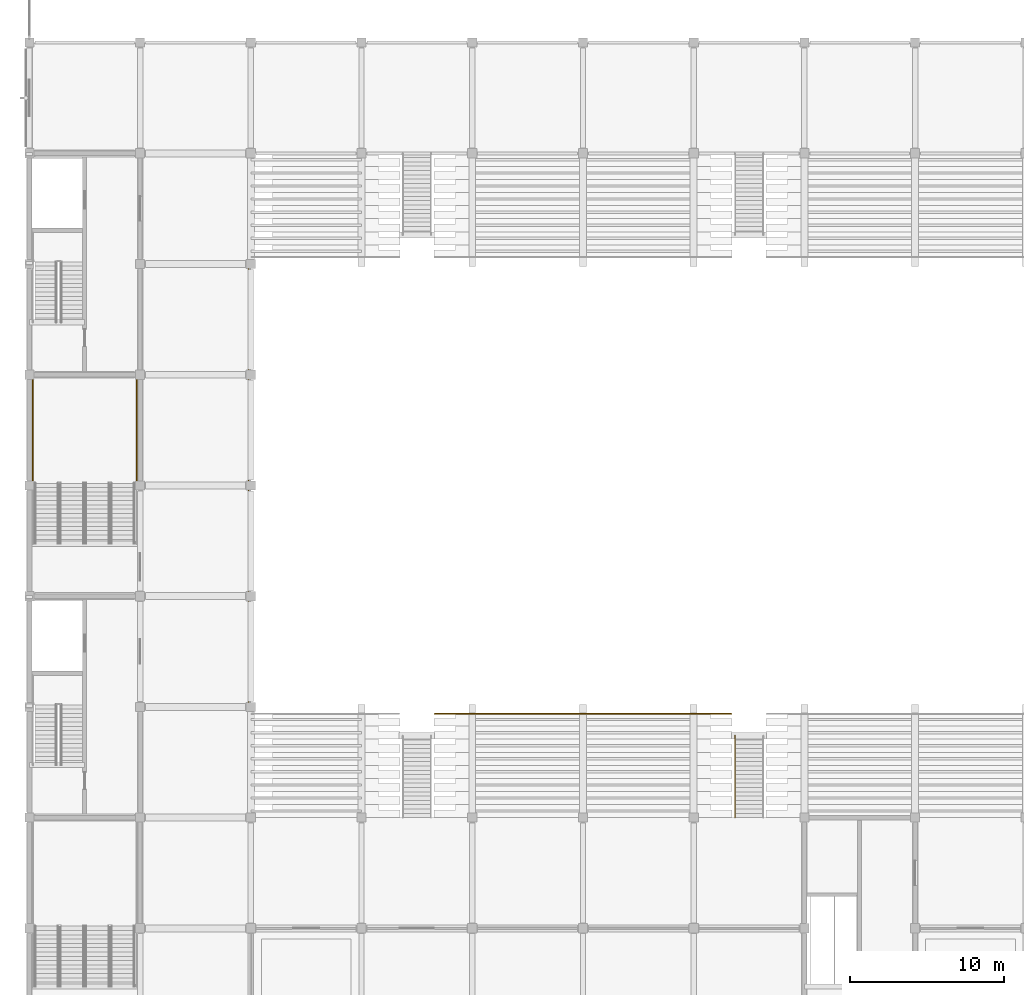
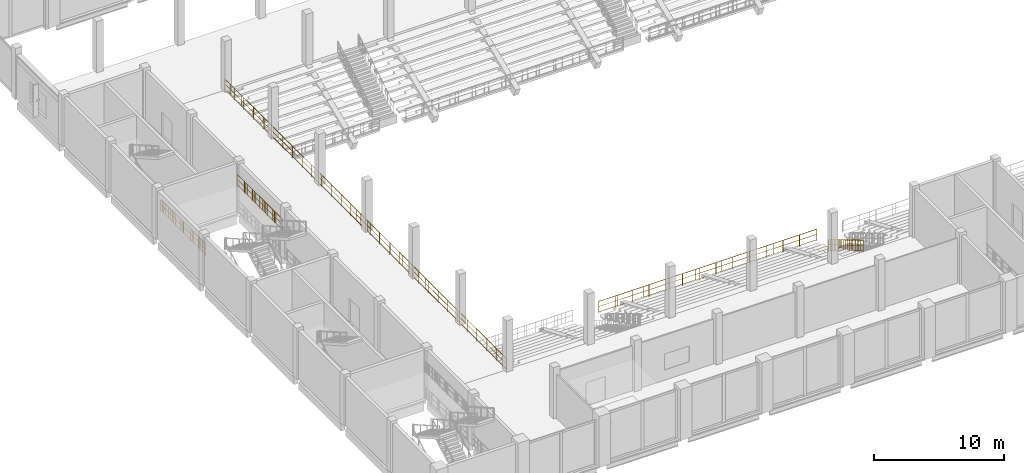
# One storey, part 83 of 99: 5 railings.
"""IFC4 building model written with IfcOpenShell, lengths in metres."""

from ifc_helpers import new_model, si_unit, direction, frame, origin, origin_2d, place, context, subcontext, project, spatial, circle, extrude, material, type_object, element, save


model = new_model("IFC4")

# Units and contexts
model_context = context("Model", 3, precision=1e-05, world=origin(), true_north=direction((0.0, 1.0)))
body_context = subcontext(model_context, "Body", "Model", "MODEL_VIEW")
ifc_project = project(units=[si_unit("LENGTHUNIT", "METRE"), si_unit("AREAUNIT", "SQUARE_METRE"), si_unit("VOLUMEUNIT", "CUBIC_METRE"), si_unit("PLANEANGLEUNIT", "RADIAN"), si_unit("MASSUNIT", "GRAM", prefix="KILO")], contexts=[model_context])

# Site, building, storey
site_placement = place(None, origin())
site = spatial("IfcSite", under=ifc_project, at=site_placement, CompositionType="ELEMENT")
building_placement = place(site_placement, origin())
building = spatial("IfcBuilding", under=site, at=building_placement, Name="Vesperath Aquatics Centre", CompositionType="ELEMENT")
storey_placement = place(building_placement, frame((0.0, 0.0, 5.39990234375)))
storey = spatial("IfcBuildingStorey", under=building, at=storey_placement, Name="L01", CompositionType="ELEMENT", Elevation=5.39990234375)

# Railings
ifc_material = material(Name="Powder-coated galvanized steel safety guard", Category="steel")
railing_type = type_object("IfcRailingType", Name="RL-GRD01", PredefinedType="GUARDRAIL", material=ifc_material)
railing_1_placement = place(storey_placement, frame((0.219970703125, 50.580078125, 2.400146484375)))
element("IfcRailing", 1, at=railing_1_placement, inside=storey, type_object=railing_type, Name="Stair ST11A Half-Landing Wall Guard GR02 L01", PredefinedType="GUARDRAIL", context=body_context, shape_type="SweptSolid", body=[
    extrude(circle(Radius=0.02392578125, at=origin_2d()), frame((0.0, 0.0, 1.0859375), z_axis=(0.0, 1.0, 0.0), x_axis=(-1.0, 0.0, 0.0)), (0.0, 0.0, 1.0), 6.889892578125),
    extrude(circle(Radius=0.01611328125, at=origin_2d()), frame((0.0, 0.0, 0.10009765625), z_axis=(0.0, 1.0, 0.0), x_axis=(-1.0, 0.0, 0.0)), (0.0, 0.0, 1.0), 6.889892578125),
    extrude(circle(Radius=0.01611328125, at=origin_2d()), frame((0.0, 0.0, 0.610595703125), z_axis=(0.0, 1.0, 0.0), x_axis=(-1.0, 0.0, 0.0)), (0.0, 0.0, 1.0), 6.889892578125),
    extrude(circle(Radius=0.009033203125, at=origin_2d()), frame((0.0, 0.109375, 0.10009765625)), (0.0, 0.0, 1.0), 0.9619140625),
    extrude(circle(Radius=0.009033203125, at=origin_2d()), frame((0.0, 0.328125, 0.10009765625)), (0.0, 0.0, 1.0), 0.9619140625),
    extrude(circle(Radius=0.009033203125, at=origin_2d()), frame((0.0, 0.546875, 0.10009765625)), (0.0, 0.0, 1.0), 0.9619140625),
    extrude(circle(Radius=0.009033203125, at=origin_2d()), frame((0.0, 0.765625, 0.10009765625)), (0.0, 0.0, 1.0), 0.9619140625),
    extrude(circle(Radius=0.009033203125, at=origin_2d()), frame((0.0, 0.984375, 0.10009765625)), (0.0, 0.0, 1.0), 0.9619140625),
    extrude(circle(Radius=0.009033203125, at=origin_2d()), frame((0.0, 1.202880859375, 0.10009765625)), (0.0, 0.0, 1.0), 0.9619140625),
    extrude(circle(Radius=0.009033203125, at=origin_2d()), frame((0.0, 1.421630859375, 0.10009765625)), (0.0, 0.0, 1.0), 0.9619140625),
    extrude(circle(Radius=0.009033203125, at=origin_2d()), frame((0.0, 1.640380859375, 0.10009765625)), (0.0, 0.0, 1.0), 0.9619140625),
    extrude(circle(Radius=0.009033203125, at=origin_2d()), frame((0.0, 1.859130859375, 0.10009765625)), (0.0, 0.0, 1.0), 0.9619140625),
    extrude(circle(Radius=0.009033203125, at=origin_2d()), frame((0.0, 2.077880859375, 0.10009765625)), (0.0, 0.0, 1.0), 0.9619140625),
    extrude(circle(Radius=0.009033203125, at=origin_2d()), frame((0.0, 2.296630859375, 0.10009765625)), (0.0, 0.0, 1.0), 0.9619140625),
    extrude(circle(Radius=0.009033203125, at=origin_2d()), frame((0.0, 2.515380859375, 0.10009765625)), (0.0, 0.0, 1.0), 0.9619140625),
    extrude(circle(Radius=0.009033203125, at=origin_2d()), frame((0.0, 2.734130859375, 0.10009765625)), (0.0, 0.0, 1.0), 0.9619140625),
    extrude(circle(Radius=0.009033203125, at=origin_2d()), frame((0.0, 2.952880859375, 0.10009765625)), (0.0, 0.0, 1.0), 0.9619140625),
    extrude(circle(Radius=0.009033203125, at=origin_2d()), frame((0.0, 3.171630859375, 0.10009765625)), (0.0, 0.0, 1.0), 0.9619140625),
    extrude(circle(Radius=0.009033203125, at=origin_2d()), frame((0.0, 3.390380859375, 0.10009765625)), (0.0, 0.0, 1.0), 0.9619140625),
    extrude(circle(Radius=0.009033203125, at=origin_2d()), frame((0.0, 3.60888671875, 0.10009765625)), (0.0, 0.0, 1.0), 0.9619140625),
    extrude(circle(Radius=0.009033203125, at=origin_2d()), frame((0.0, 3.82763671875, 0.10009765625)), (0.0, 0.0, 1.0), 0.9619140625),
    extrude(circle(Radius=0.009033203125, at=origin_2d()), frame((0.0, 4.04638671875, 0.10009765625)), (0.0, 0.0, 1.0), 0.9619140625),
    extrude(circle(Radius=0.009033203125, at=origin_2d()), frame((0.0, 4.26513671875, 0.10009765625)), (0.0, 0.0, 1.0), 0.9619140625),
    extrude(circle(Radius=0.009033203125, at=origin_2d()), frame((0.0, 4.48388671875, 0.10009765625)), (0.0, 0.0, 1.0), 0.9619140625),
    extrude(circle(Radius=0.009033203125, at=origin_2d()), frame((0.0, 4.70263671875, 0.10009765625)), (0.0, 0.0, 1.0), 0.9619140625),
    extrude(circle(Radius=0.009033203125, at=origin_2d()), frame((0.0, 4.92138671875, 0.10009765625)), (0.0, 0.0, 1.0), 0.9619140625),
    extrude(circle(Radius=0.009033203125, at=origin_2d()), frame((0.0, 5.14013671875, 0.10009765625)), (0.0, 0.0, 1.0), 0.9619140625),
    extrude(circle(Radius=0.009033203125, at=origin_2d()), frame((0.0, 5.35888671875, 0.10009765625)), (0.0, 0.0, 1.0), 0.9619140625),
    extrude(circle(Radius=0.009033203125, at=origin_2d()), frame((0.0, 5.57763671875, 0.10009765625)), (0.0, 0.0, 1.0), 0.9619140625),
    extrude(circle(Radius=0.009033203125, at=origin_2d()), frame((0.0, 5.796142578125, 0.10009765625)), (0.0, 0.0, 1.0), 0.9619140625),
    extrude(circle(Radius=0.009033203125, at=origin_2d()), frame((0.0, 6.014892578125, 0.10009765625)), (0.0, 0.0, 1.0), 0.9619140625),
    extrude(circle(Radius=0.009033203125, at=origin_2d()), frame((0.0, 6.233642578125, 0.10009765625)), (0.0, 0.0, 1.0), 0.9619140625),
    extrude(circle(Radius=0.009033203125, at=origin_2d()), frame((0.0, 6.452392578125, 0.10009765625)), (0.0, 0.0, 1.0), 0.9619140625),
    extrude(circle(Radius=0.009033203125, at=origin_2d()), frame((0.0, 6.671142578125, 0.10009765625)), (0.0, 0.0, 1.0), 0.9619140625),
    extrude(circle(Radius=0.02197265625, at=origin_2d()), origin(), (0.0, 0.0, 1.0), 1.0859375),
    extrude(circle(Radius=0.02197265625, at=origin_2d()), frame((0.0, 1.1484375, 0.0)), (0.0, 0.0, 1.0), 1.0859375),
    extrude(circle(Radius=0.02197265625, at=origin_2d()), frame((0.0, 2.296630859375, 0.0)), (0.0, 0.0, 1.0), 1.0859375),
    extrude(circle(Radius=0.02197265625, at=origin_2d()), frame((0.0, 3.44482421875, 0.0)), (0.0, 0.0, 1.0), 1.0859375),
    extrude(circle(Radius=0.02197265625, at=origin_2d()), frame((0.0, 4.59326171875, 0.0)), (0.0, 0.0, 1.0), 1.0859375),
    extrude(circle(Radius=0.02197265625, at=origin_2d()), frame((0.0, 5.74169921875, 0.0)), (0.0, 0.0, 1.0), 1.0859375),
    extrude(circle(Radius=0.02197265625, at=origin_2d()), frame((0.0, 6.889892578125, 0.0)), (0.0, 0.0, 1.0), 1.0859375),
])
railing_2_placement = place(storey_placement, frame((6.97998046875, 50.580078125, 2.400146484375)))
element("IfcRailing", 2, at=railing_2_placement, inside=storey, type_object=railing_type, Name="Stair ST11B Half-Landing Wall Guard GR02 L01", PredefinedType="GUARDRAIL", context=body_context, shape_type="SweptSolid", body=[
    extrude(circle(Radius=0.02392578125, at=origin_2d()), frame((0.0, 0.0, 1.0859375), z_axis=(0.0, 1.0, 0.0), x_axis=(-1.0, 0.0, 0.0)), (0.0, 0.0, 1.0), 6.889892578125),
    extrude(circle(Radius=0.01611328125, at=origin_2d()), frame((0.0, 0.0, 0.10009765625), z_axis=(0.0, 1.0, 0.0), x_axis=(-1.0, 0.0, 0.0)), (0.0, 0.0, 1.0), 6.889892578125),
    extrude(circle(Radius=0.01611328125, at=origin_2d()), frame((0.0, 0.0, 0.610595703125), z_axis=(0.0, 1.0, 0.0), x_axis=(-1.0, 0.0, 0.0)), (0.0, 0.0, 1.0), 6.889892578125),
    extrude(circle(Radius=0.009033203125, at=origin_2d()), frame((0.0, 0.109375, 0.10009765625)), (0.0, 0.0, 1.0), 0.9619140625),
    extrude(circle(Radius=0.009033203125, at=origin_2d()), frame((0.0, 0.328125, 0.10009765625)), (0.0, 0.0, 1.0), 0.9619140625),
    extrude(circle(Radius=0.009033203125, at=origin_2d()), frame((0.0, 0.546875, 0.10009765625)), (0.0, 0.0, 1.0), 0.9619140625),
    extrude(circle(Radius=0.009033203125, at=origin_2d()), frame((0.0, 0.765625, 0.10009765625)), (0.0, 0.0, 1.0), 0.9619140625),
    extrude(circle(Radius=0.009033203125, at=origin_2d()), frame((0.0, 0.984375, 0.10009765625)), (0.0, 0.0, 1.0), 0.9619140625),
    extrude(circle(Radius=0.009033203125, at=origin_2d()), frame((0.0, 1.202880859375, 0.10009765625)), (0.0, 0.0, 1.0), 0.9619140625),
    extrude(circle(Radius=0.009033203125, at=origin_2d()), frame((0.0, 1.421630859375, 0.10009765625)), (0.0, 0.0, 1.0), 0.9619140625),
    extrude(circle(Radius=0.009033203125, at=origin_2d()), frame((0.0, 1.640380859375, 0.10009765625)), (0.0, 0.0, 1.0), 0.9619140625),
    extrude(circle(Radius=0.009033203125, at=origin_2d()), frame((0.0, 1.859130859375, 0.10009765625)), (0.0, 0.0, 1.0), 0.9619140625),
    extrude(circle(Radius=0.009033203125, at=origin_2d()), frame((0.0, 2.077880859375, 0.10009765625)), (0.0, 0.0, 1.0), 0.9619140625),
    extrude(circle(Radius=0.009033203125, at=origin_2d()), frame((0.0, 2.296630859375, 0.10009765625)), (0.0, 0.0, 1.0), 0.9619140625),
    extrude(circle(Radius=0.009033203125, at=origin_2d()), frame((0.0, 2.515380859375, 0.10009765625)), (0.0, 0.0, 1.0), 0.9619140625),
    extrude(circle(Radius=0.009033203125, at=origin_2d()), frame((0.0, 2.734130859375, 0.10009765625)), (0.0, 0.0, 1.0), 0.9619140625),
    extrude(circle(Radius=0.009033203125, at=origin_2d()), frame((0.0, 2.952880859375, 0.10009765625)), (0.0, 0.0, 1.0), 0.9619140625),
    extrude(circle(Radius=0.009033203125, at=origin_2d()), frame((0.0, 3.171630859375, 0.10009765625)), (0.0, 0.0, 1.0), 0.9619140625),
    extrude(circle(Radius=0.009033203125, at=origin_2d()), frame((0.0, 3.390380859375, 0.10009765625)), (0.0, 0.0, 1.0), 0.9619140625),
    extrude(circle(Radius=0.009033203125, at=origin_2d()), frame((0.0, 3.60888671875, 0.10009765625)), (0.0, 0.0, 1.0), 0.9619140625),
    extrude(circle(Radius=0.009033203125, at=origin_2d()), frame((0.0, 3.82763671875, 0.10009765625)), (0.0, 0.0, 1.0), 0.9619140625),
    extrude(circle(Radius=0.009033203125, at=origin_2d()), frame((0.0, 4.04638671875, 0.10009765625)), (0.0, 0.0, 1.0), 0.9619140625),
    extrude(circle(Radius=0.009033203125, at=origin_2d()), frame((0.0, 4.26513671875, 0.10009765625)), (0.0, 0.0, 1.0), 0.9619140625),
    extrude(circle(Radius=0.009033203125, at=origin_2d()), frame((0.0, 4.48388671875, 0.10009765625)), (0.0, 0.0, 1.0), 0.9619140625),
    extrude(circle(Radius=0.009033203125, at=origin_2d()), frame((0.0, 4.70263671875, 0.10009765625)), (0.0, 0.0, 1.0), 0.9619140625),
    extrude(circle(Radius=0.009033203125, at=origin_2d()), frame((0.0, 4.92138671875, 0.10009765625)), (0.0, 0.0, 1.0), 0.9619140625),
    extrude(circle(Radius=0.009033203125, at=origin_2d()), frame((0.0, 5.14013671875, 0.10009765625)), (0.0, 0.0, 1.0), 0.9619140625),
    extrude(circle(Radius=0.009033203125, at=origin_2d()), frame((0.0, 5.35888671875, 0.10009765625)), (0.0, 0.0, 1.0), 0.9619140625),
    extrude(circle(Radius=0.009033203125, at=origin_2d()), frame((0.0, 5.57763671875, 0.10009765625)), (0.0, 0.0, 1.0), 0.9619140625),
    extrude(circle(Radius=0.009033203125, at=origin_2d()), frame((0.0, 5.796142578125, 0.10009765625)), (0.0, 0.0, 1.0), 0.9619140625),
    extrude(circle(Radius=0.009033203125, at=origin_2d()), frame((0.0, 6.014892578125, 0.10009765625)), (0.0, 0.0, 1.0), 0.9619140625),
    extrude(circle(Radius=0.009033203125, at=origin_2d()), frame((0.0, 6.233642578125, 0.10009765625)), (0.0, 0.0, 1.0), 0.9619140625),
    extrude(circle(Radius=0.009033203125, at=origin_2d()), frame((0.0, 6.452392578125, 0.10009765625)), (0.0, 0.0, 1.0), 0.9619140625),
    extrude(circle(Radius=0.009033203125, at=origin_2d()), frame((0.0, 6.671142578125, 0.10009765625)), (0.0, 0.0, 1.0), 0.9619140625),
    extrude(circle(Radius=0.02197265625, at=origin_2d()), origin(), (0.0, 0.0, 1.0), 1.0859375),
    extrude(circle(Radius=0.02197265625, at=origin_2d()), frame((0.0, 1.1484375, 0.0)), (0.0, 0.0, 1.0), 1.0859375),
    extrude(circle(Radius=0.02197265625, at=origin_2d()), frame((0.0, 2.296630859375, 0.0)), (0.0, 0.0, 1.0), 1.0859375),
    extrude(circle(Radius=0.02197265625, at=origin_2d()), frame((0.0, 3.44482421875, 0.0)), (0.0, 0.0, 1.0), 1.0859375),
    extrude(circle(Radius=0.02197265625, at=origin_2d()), frame((0.0, 4.59326171875, 0.0)), (0.0, 0.0, 1.0), 1.0859375),
    extrude(circle(Radius=0.02197265625, at=origin_2d()), frame((0.0, 5.74169921875, 0.0)), (0.0, 0.0, 1.0), 1.0859375),
    extrude(circle(Radius=0.02197265625, at=origin_2d()), frame((0.0, 6.889892578125, 0.0)), (0.0, 0.0, 1.0), 1.0859375),
])
railing_3_placement = place(storey_placement, frame((45.8798828125, 34.1201171875, -3.199951171875)))
element("IfcRailing", 3, at=railing_3_placement, inside=storey, type_object=railing_type, Name="Vomitory VOM-02 Guardrail GR02-W", PredefinedType="GUARDRAIL", context=body_context, shape_type="SweptSolid", body=[
    extrude(circle(Radius=0.02392578125, at=origin_2d()), frame((0.0, 0.0, 1.0859375), z_axis=(0.0, -0.85693029826, 0.515432307801), x_axis=(1.0, 0.0, 0.0)), (0.0, 0.0, 1.0), 6.208251953125),
    extrude(circle(Radius=0.01611328125, at=origin_2d()), frame((0.0, 0.0, 0.10009765625), z_axis=(0.0, -0.85693029826, 0.515432307801), x_axis=(1.0, 0.0, 0.0)), (0.0, 0.0, 1.0), 6.208251953125),
    extrude(circle(Radius=0.01611328125, at=origin_2d()), frame((0.0, 0.0, 0.610595703125), z_axis=(0.0, -0.85693029826, 0.515432307801), x_axis=(1.0, 0.0, 0.0)), (0.0, 0.0, 1.0), 6.208251953125),
    extrude(circle(Radius=0.009033203125, at=origin_2d()), frame((0.0, -0.09326171875, 0.15625)), (0.0, 0.0, 1.0), 0.9619140625),
    extrude(circle(Radius=0.009033203125, at=origin_2d()), frame((0.0, -0.280029296875, 0.2685546875)), (0.0, 0.0, 1.0), 0.9619140625),
    extrude(circle(Radius=0.009033203125, at=origin_2d()), frame((0.0, -0.466552734375, 0.380859375)), (0.0, 0.0, 1.0), 0.9619140625),
    extrude(circle(Radius=0.009033203125, at=origin_2d()), frame((0.0, -0.6533203125, 0.4931640625)), (0.0, 0.0, 1.0), 0.9619140625),
    extrude(circle(Radius=0.009033203125, at=origin_2d()), frame((0.0, -0.840087890625, 0.60546875)), (0.0, 0.0, 1.0), 0.9619140625),
    extrude(circle(Radius=0.009033203125, at=origin_2d()), frame((0.0, -1.026611328125, 0.717529296875)), (0.0, 0.0, 1.0), 0.9619140625),
    extrude(circle(Radius=0.009033203125, at=origin_2d()), frame((0.0, -1.21337890625, 0.829833984375)), (0.0, 0.0, 1.0), 0.9619140625),
    extrude(circle(Radius=0.009033203125, at=origin_2d()), frame((0.0, -1.39990234375, 0.942138671875)), (0.0, 0.0, 1.0), 0.9619140625),
    extrude(circle(Radius=0.009033203125, at=origin_2d()), frame((0.0, -1.586669921875, 1.054443359375)), (0.0, 0.0, 1.0), 0.9619140625),
    extrude(circle(Radius=0.009033203125, at=origin_2d()), frame((0.0, -1.7734375, 1.166748046875)), (0.0, 0.0, 1.0), 0.9619140625),
    extrude(circle(Radius=0.009033203125, at=origin_2d()), frame((0.0, -1.9599609375, 1.279052734375)), (0.0, 0.0, 1.0), 0.9619140625),
    extrude(circle(Radius=0.009033203125, at=origin_2d()), frame((0.0, -2.146728515625, 1.391357421875)), (0.0, 0.0, 1.0), 0.9619140625),
    extrude(circle(Radius=0.009033203125, at=origin_2d()), frame((0.0, -2.333251953125, 1.503662109375)), (0.0, 0.0, 1.0), 0.9619140625),
    extrude(circle(Radius=0.009033203125, at=origin_2d()), frame((0.0, -2.52001953125, 1.615966796875)), (0.0, 0.0, 1.0), 0.9619140625),
    extrude(circle(Radius=0.009033203125, at=origin_2d()), frame((0.0, -2.706787109375, 1.72802734375)), (0.0, 0.0, 1.0), 0.9619140625),
    extrude(circle(Radius=0.009033203125, at=origin_2d()), frame((0.0, -2.893310546875, 1.84033203125)), (0.0, 0.0, 1.0), 0.9619140625),
    extrude(circle(Radius=0.009033203125, at=origin_2d()), frame((0.0, -3.080078125, 1.95263671875)), (0.0, 0.0, 1.0), 0.9619140625),
    extrude(circle(Radius=0.009033203125, at=origin_2d()), frame((0.0, -3.2666015625, 2.06494140625)), (0.0, 0.0, 1.0), 0.9619140625),
    extrude(circle(Radius=0.009033203125, at=origin_2d()), frame((0.0, -3.453369140625, 2.17724609375)), (0.0, 0.0, 1.0), 0.9619140625),
    extrude(circle(Radius=0.009033203125, at=origin_2d()), frame((0.0, -3.64013671875, 2.28955078125)), (0.0, 0.0, 1.0), 0.9619140625),
    extrude(circle(Radius=0.009033203125, at=origin_2d()), frame((0.0, -3.82666015625, 2.40185546875)), (0.0, 0.0, 1.0), 0.9619140625),
    extrude(circle(Radius=0.009033203125, at=origin_2d()), frame((0.0, -4.013427734375, 2.51416015625)), (0.0, 0.0, 1.0), 0.9619140625),
    extrude(circle(Radius=0.009033203125, at=origin_2d()), frame((0.0, -4.199951171875, 2.62646484375)), (0.0, 0.0, 1.0), 0.9619140625),
    extrude(circle(Radius=0.009033203125, at=origin_2d()), frame((0.0, -4.38671875, 2.73876953125)), (0.0, 0.0, 1.0), 0.9619140625),
    extrude(circle(Radius=0.009033203125, at=origin_2d()), frame((0.0, -4.573486328125, 2.850830078125)), (0.0, 0.0, 1.0), 0.9619140625),
    extrude(circle(Radius=0.009033203125, at=origin_2d()), frame((0.0, -4.760009765625, 2.963134765625)), (0.0, 0.0, 1.0), 0.9619140625),
    extrude(circle(Radius=0.009033203125, at=origin_2d()), frame((0.0, -4.94677734375, 3.075439453125)), (0.0, 0.0, 1.0), 0.9619140625),
    extrude(circle(Radius=0.009033203125, at=origin_2d()), frame((0.0, -5.13330078125, 3.187744140625)), (0.0, 0.0, 1.0), 0.9619140625),
    extrude(circle(Radius=0.02197265625, at=origin_2d()), origin(), (0.0, 0.0, 1.0), 1.0859375),
    extrude(circle(Radius=0.02197265625, at=origin_2d()), frame((0.0, -0.88671875, 0.533203125)), (0.0, 0.0, 1.0), 1.0859375),
    extrude(circle(Radius=0.02197265625, at=origin_2d()), frame((0.0, -1.7734375, 1.066650390625)), (0.0, 0.0, 1.0), 1.0859375),
    extrude(circle(Radius=0.02197265625, at=origin_2d()), frame((0.0, -2.66015625, 1.60009765625)), (0.0, 0.0, 1.0), 1.0859375),
    extrude(circle(Radius=0.02197265625, at=origin_2d()), frame((0.0, -3.546630859375, 2.13330078125)), (0.0, 0.0, 1.0), 1.0859375),
    extrude(circle(Radius=0.02197265625, at=origin_2d()), frame((0.0, -4.433349609375, 2.66650390625)), (0.0, 0.0, 1.0), 1.0859375),
    extrude(circle(Radius=0.02197265625, at=origin_2d()), frame((0.0, -5.320068359375, 3.199951171875)), (0.0, 0.0, 1.0), 1.0859375),
])
railing_4_placement = place(storey_placement, frame((26.35009765625, 35.550048828125, -3.0)))
element("IfcRailing", 4, at=railing_4_placement, inside=storey, type_object=railing_type, Name="Safety Guardrail GR02 GRD_L01_BOWL_S2", PredefinedType="GUARDRAIL", context=body_context, shape_type="SweptSolid", body=[
    extrude(circle(Radius=0.02392578125, at=origin_2d()), frame((0.0, 0.0, 1.0859375), z_axis=(1.0, 0.0, 0.0), x_axis=(0.0, 1.0, 0.0)), (0.0, 0.0, 1.0), 19.2998046875),
    extrude(circle(Radius=0.01611328125, at=origin_2d()), frame((0.0, 0.0, 0.10009765625), z_axis=(1.0, 0.0, 0.0), x_axis=(0.0, 1.0, 0.0)), (0.0, 0.0, 1.0), 19.2998046875),
    extrude(circle(Radius=0.01611328125, at=origin_2d()), frame((0.0, 0.0, 0.610595703125), z_axis=(1.0, 0.0, 0.0), x_axis=(0.0, 1.0, 0.0)), (0.0, 0.0, 1.0), 19.2998046875),
    extrude(circle(Radius=0.009033203125, at=origin_2d()), frame((0.109619140625, 0.0, 0.10009765625)), (0.0, 0.0, 1.0), 0.9619140625),
    extrude(circle(Radius=0.009033203125, at=origin_2d()), frame((0.877197265625, 0.0, 0.10009765625)), (0.0, 0.0, 1.0), 0.9619140625),
    extrude(circle(Radius=0.009033203125, at=origin_2d()), frame((1.644775390625, 0.0, 0.10009765625)), (0.0, 0.0, 1.0), 0.9619140625),
    extrude(circle(Radius=0.009033203125, at=origin_2d()), frame((2.41259765625, 0.0, 0.10009765625)), (0.0, 0.0, 1.0), 0.9619140625),
    extrude(circle(Radius=0.009033203125, at=origin_2d()), frame((3.18017578125, 0.0, 0.10009765625)), (0.0, 0.0, 1.0), 0.9619140625),
    extrude(circle(Radius=0.009033203125, at=origin_2d()), frame((3.94775390625, 0.0, 0.10009765625)), (0.0, 0.0, 1.0), 0.9619140625),
    extrude(circle(Radius=0.009033203125, at=origin_2d()), frame((4.71533203125, 0.0, 0.10009765625)), (0.0, 0.0, 1.0), 0.9619140625),
    extrude(circle(Radius=0.009033203125, at=origin_2d()), frame((5.48291015625, 0.0, 0.10009765625)), (0.0, 0.0, 1.0), 0.9619140625),
    extrude(circle(Radius=0.009033203125, at=origin_2d()), frame((6.25048828125, 0.0, 0.10009765625)), (0.0, 0.0, 1.0), 0.9619140625),
    extrude(circle(Radius=0.009033203125, at=origin_2d()), frame((7.01806640625, 0.0, 0.10009765625)), (0.0, 0.0, 1.0), 0.9619140625),
    extrude(circle(Radius=0.009033203125, at=origin_2d()), frame((7.78564453125, 0.0, 0.10009765625)), (0.0, 0.0, 1.0), 0.9619140625),
    extrude(circle(Radius=0.009033203125, at=origin_2d()), frame((8.55322265625, 0.0, 0.10009765625)), (0.0, 0.0, 1.0), 0.9619140625),
    extrude(circle(Radius=0.009033203125, at=origin_2d()), frame((9.321044921875, 0.0, 0.10009765625)), (0.0, 0.0, 1.0), 0.9619140625),
    extrude(circle(Radius=0.009033203125, at=origin_2d()), frame((10.088623046875, 0.0, 0.10009765625)), (0.0, 0.0, 1.0), 0.9619140625),
    extrude(circle(Radius=0.009033203125, at=origin_2d()), frame((10.856201171875, 0.0, 0.10009765625)), (0.0, 0.0, 1.0), 0.9619140625),
    extrude(circle(Radius=0.009033203125, at=origin_2d()), frame((11.623779296875, 0.0, 0.10009765625)), (0.0, 0.0, 1.0), 0.9619140625),
    extrude(circle(Radius=0.009033203125, at=origin_2d()), frame((12.391357421875, 0.0, 0.10009765625)), (0.0, 0.0, 1.0), 0.9619140625),
    extrude(circle(Radius=0.009033203125, at=origin_2d()), frame((13.158935546875, 0.0, 0.10009765625)), (0.0, 0.0, 1.0), 0.9619140625),
    extrude(circle(Radius=0.009033203125, at=origin_2d()), frame((13.926513671875, 0.0, 0.10009765625)), (0.0, 0.0, 1.0), 0.9619140625),
    extrude(circle(Radius=0.009033203125, at=origin_2d()), frame((14.694091796875, 0.0, 0.10009765625)), (0.0, 0.0, 1.0), 0.9619140625),
    extrude(circle(Radius=0.009033203125, at=origin_2d()), frame((15.461669921875, 0.0, 0.10009765625)), (0.0, 0.0, 1.0), 0.9619140625),
    extrude(circle(Radius=0.009033203125, at=origin_2d()), frame((16.2294921875, 0.0, 0.10009765625)), (0.0, 0.0, 1.0), 0.9619140625),
    extrude(circle(Radius=0.009033203125, at=origin_2d()), frame((16.9970703125, 0.0, 0.10009765625)), (0.0, 0.0, 1.0), 0.9619140625),
    extrude(circle(Radius=0.009033203125, at=origin_2d()), frame((17.7646484375, 0.0, 0.10009765625)), (0.0, 0.0, 1.0), 0.9619140625),
    extrude(circle(Radius=0.009033203125, at=origin_2d()), frame((18.5322265625, 0.0, 0.10009765625)), (0.0, 0.0, 1.0), 0.9619140625),
    extrude(circle(Radius=0.02197265625, at=origin_2d()), origin(), (0.0, 0.0, 1.0), 1.0859375),
    extrude(circle(Radius=0.02197265625, at=origin_2d()), frame((1.484619140625, 0.0, 0.0)), (0.0, 0.0, 1.0), 1.0859375),
    extrude(circle(Radius=0.02197265625, at=origin_2d()), frame((2.96923828125, 0.0, 0.0)), (0.0, 0.0, 1.0), 1.0859375),
    extrude(circle(Radius=0.02197265625, at=origin_2d()), frame((4.453857421875, 0.0, 0.0)), (0.0, 0.0, 1.0), 1.0859375),
    extrude(circle(Radius=0.02197265625, at=origin_2d()), frame((5.9384765625, 0.0, 0.0)), (0.0, 0.0, 1.0), 1.0859375),
    extrude(circle(Radius=0.02197265625, at=origin_2d()), frame((7.423095703125, 0.0, 0.0)), (0.0, 0.0, 1.0), 1.0859375),
    extrude(circle(Radius=0.02197265625, at=origin_2d()), frame((8.90771484375, 0.0, 0.0)), (0.0, 0.0, 1.0), 1.0859375),
    extrude(circle(Radius=0.02197265625, at=origin_2d()), frame((10.39208984375, 0.0, 0.0)), (0.0, 0.0, 1.0), 1.0859375),
    extrude(circle(Radius=0.02197265625, at=origin_2d()), frame((11.876708984375, 0.0, 0.0)), (0.0, 0.0, 1.0), 1.0859375),
    extrude(circle(Radius=0.02197265625, at=origin_2d()), frame((13.361328125, 0.0, 0.0)), (0.0, 0.0, 1.0), 1.0859375),
    extrude(circle(Radius=0.02197265625, at=origin_2d()), frame((14.845947265625, 0.0, 0.0)), (0.0, 0.0, 1.0), 1.0859375),
    extrude(circle(Radius=0.02197265625, at=origin_2d()), frame((16.33056640625, 0.0, 0.0)), (0.0, 0.0, 1.0), 1.0859375),
    extrude(circle(Radius=0.02197265625, at=origin_2d()), frame((17.815185546875, 0.0, 0.0)), (0.0, 0.0, 1.0), 1.0859375),
    extrude(circle(Radius=0.02197265625, at=origin_2d()), frame((19.2998046875, 0.0, 0.0)), (0.0, 0.0, 1.0), 1.0859375),
])
railing_5_placement = place(storey_placement, frame((14.25, 28.800048828125, 0.0)))
element("IfcRailing", 5, at=railing_5_placement, inside=storey, type_object=railing_type, Name="Safety Guardrail GR02 GRD_L01_CONC_W", PredefinedType="GUARDRAIL", context=body_context, shape_type="SweptSolid", body=[
    extrude(circle(Radius=0.02392578125, at=origin_2d()), frame((0.0, 0.0, 1.0859375), z_axis=(0.0, 1.0, 0.0), x_axis=(-1.0, 0.0, 0.0)), (0.0, 0.0, 1.0), 43.199951171875),
    extrude(circle(Radius=0.01611328125, at=origin_2d()), frame((0.0, 0.0, 0.10009765625), z_axis=(0.0, 1.0, 0.0), x_axis=(-1.0, 0.0, 0.0)), (0.0, 0.0, 1.0), 43.199951171875),
    extrude(circle(Radius=0.01611328125, at=origin_2d()), frame((0.0, 0.0, 0.610595703125), z_axis=(0.0, 1.0, 0.0), x_axis=(-1.0, 0.0, 0.0)), (0.0, 0.0, 1.0), 43.199951171875),
    extrude(circle(Radius=0.009033203125, at=origin_2d()), frame((0.0, 0.10986328125, 0.10009765625)), (0.0, 0.0, 1.0), 0.9619140625),
    extrude(circle(Radius=0.009033203125, at=origin_2d()), frame((0.0, 1.86865234375, 0.10009765625)), (0.0, 0.0, 1.0), 0.9619140625),
    extrude(circle(Radius=0.009033203125, at=origin_2d()), frame((0.0, 3.62744140625, 0.10009765625)), (0.0, 0.0, 1.0), 0.9619140625),
    extrude(circle(Radius=0.009033203125, at=origin_2d()), frame((0.0, 5.38623046875, 0.10009765625)), (0.0, 0.0, 1.0), 0.9619140625),
    extrude(circle(Radius=0.009033203125, at=origin_2d()), frame((0.0, 7.14501953125, 0.10009765625)), (0.0, 0.0, 1.0), 0.9619140625),
    extrude(circle(Radius=0.009033203125, at=origin_2d()), frame((0.0, 8.90380859375, 0.10009765625)), (0.0, 0.0, 1.0), 0.9619140625),
    extrude(circle(Radius=0.009033203125, at=origin_2d()), frame((0.0, 10.66259765625, 0.10009765625)), (0.0, 0.0, 1.0), 0.9619140625),
    extrude(circle(Radius=0.009033203125, at=origin_2d()), frame((0.0, 12.42138671875, 0.10009765625)), (0.0, 0.0, 1.0), 0.9619140625),
    extrude(circle(Radius=0.009033203125, at=origin_2d()), frame((0.0, 14.18017578125, 0.10009765625)), (0.0, 0.0, 1.0), 0.9619140625),
    extrude(circle(Radius=0.009033203125, at=origin_2d()), frame((0.0, 15.93896484375, 0.10009765625)), (0.0, 0.0, 1.0), 0.9619140625),
    extrude(circle(Radius=0.009033203125, at=origin_2d()), frame((0.0, 17.69775390625, 0.10009765625)), (0.0, 0.0, 1.0), 0.9619140625),
    extrude(circle(Radius=0.009033203125, at=origin_2d()), frame((0.0, 19.45654296875, 0.10009765625)), (0.0, 0.0, 1.0), 0.9619140625),
    extrude(circle(Radius=0.009033203125, at=origin_2d()), frame((0.0, 21.21533203125, 0.10009765625)), (0.0, 0.0, 1.0), 0.9619140625),
    extrude(circle(Radius=0.009033203125, at=origin_2d()), frame((0.0, 22.97412109375, 0.10009765625)), (0.0, 0.0, 1.0), 0.9619140625),
    extrude(circle(Radius=0.009033203125, at=origin_2d()), frame((0.0, 24.73291015625, 0.10009765625)), (0.0, 0.0, 1.0), 0.9619140625),
    extrude(circle(Radius=0.009033203125, at=origin_2d()), frame((0.0, 26.491455078125, 0.10009765625)), (0.0, 0.0, 1.0), 0.9619140625),
    extrude(circle(Radius=0.009033203125, at=origin_2d()), frame((0.0, 28.250244140625, 0.10009765625)), (0.0, 0.0, 1.0), 0.9619140625),
    extrude(circle(Radius=0.009033203125, at=origin_2d()), frame((0.0, 30.009033203125, 0.10009765625)), (0.0, 0.0, 1.0), 0.9619140625),
    extrude(circle(Radius=0.009033203125, at=origin_2d()), frame((0.0, 31.767822265625, 0.10009765625)), (0.0, 0.0, 1.0), 0.9619140625),
    extrude(circle(Radius=0.009033203125, at=origin_2d()), frame((0.0, 33.526611328125, 0.10009765625)), (0.0, 0.0, 1.0), 0.9619140625),
    extrude(circle(Radius=0.009033203125, at=origin_2d()), frame((0.0, 35.285400390625, 0.10009765625)), (0.0, 0.0, 1.0), 0.9619140625),
    extrude(circle(Radius=0.009033203125, at=origin_2d()), frame((0.0, 37.044189453125, 0.10009765625)), (0.0, 0.0, 1.0), 0.9619140625),
    extrude(circle(Radius=0.009033203125, at=origin_2d()), frame((0.0, 38.802978515625, 0.10009765625)), (0.0, 0.0, 1.0), 0.9619140625),
    extrude(circle(Radius=0.009033203125, at=origin_2d()), frame((0.0, 40.561767578125, 0.10009765625)), (0.0, 0.0, 1.0), 0.9619140625),
    extrude(circle(Radius=0.009033203125, at=origin_2d()), frame((0.0, 42.320556640625, 0.10009765625)), (0.0, 0.0, 1.0), 0.9619140625),
    extrude(circle(Radius=0.02197265625, at=origin_2d()), origin(), (0.0, 0.0, 1.0), 1.0859375),
    extrude(circle(Radius=0.02197265625, at=origin_2d()), frame((0.0, 1.48974609375, 0.0)), (0.0, 0.0, 1.0), 1.0859375),
    extrude(circle(Radius=0.02197265625, at=origin_2d()), frame((0.0, 2.979248046875, 0.0)), (0.0, 0.0, 1.0), 1.0859375),
    extrude(circle(Radius=0.02197265625, at=origin_2d()), frame((0.0, 4.468994140625, 0.0)), (0.0, 0.0, 1.0), 1.0859375),
    extrude(circle(Radius=0.02197265625, at=origin_2d()), frame((0.0, 5.95849609375, 0.0)), (0.0, 0.0, 1.0), 1.0859375),
    extrude(circle(Radius=0.02197265625, at=origin_2d()), frame((0.0, 7.4482421875, 0.0)), (0.0, 0.0, 1.0), 1.0859375),
    extrude(circle(Radius=0.02197265625, at=origin_2d()), frame((0.0, 8.93798828125, 0.0)), (0.0, 0.0, 1.0), 1.0859375),
    extrude(circle(Radius=0.02197265625, at=origin_2d()), frame((0.0, 10.427490234375, 0.0)), (0.0, 0.0, 1.0), 1.0859375),
    extrude(circle(Radius=0.02197265625, at=origin_2d()), frame((0.0, 11.917236328125, 0.0)), (0.0, 0.0, 1.0), 1.0859375),
    extrude(circle(Radius=0.02197265625, at=origin_2d()), frame((0.0, 13.406982421875, 0.0)), (0.0, 0.0, 1.0), 1.0859375),
    extrude(circle(Radius=0.02197265625, at=origin_2d()), frame((0.0, 14.896484375, 0.0)), (0.0, 0.0, 1.0), 1.0859375),
    extrude(circle(Radius=0.02197265625, at=origin_2d()), frame((0.0, 16.38623046875, 0.0)), (0.0, 0.0, 1.0), 1.0859375),
    extrude(circle(Radius=0.02197265625, at=origin_2d()), frame((0.0, 17.875732421875, 0.0)), (0.0, 0.0, 1.0), 1.0859375),
    extrude(circle(Radius=0.02197265625, at=origin_2d()), frame((0.0, 19.365478515625, 0.0)), (0.0, 0.0, 1.0), 1.0859375),
    extrude(circle(Radius=0.02197265625, at=origin_2d()), frame((0.0, 20.855224609375, 0.0)), (0.0, 0.0, 1.0), 1.0859375),
    extrude(circle(Radius=0.02197265625, at=origin_2d()), frame((0.0, 22.3447265625, 0.0)), (0.0, 0.0, 1.0), 1.0859375),
    extrude(circle(Radius=0.02197265625, at=origin_2d()), frame((0.0, 23.83447265625, 0.0)), (0.0, 0.0, 1.0), 1.0859375),
    extrude(circle(Radius=0.02197265625, at=origin_2d()), frame((0.0, 25.32421875, 0.0)), (0.0, 0.0, 1.0), 1.0859375),
    extrude(circle(Radius=0.02197265625, at=origin_2d()), frame((0.0, 26.813720703125, 0.0)), (0.0, 0.0, 1.0), 1.0859375),
    extrude(circle(Radius=0.02197265625, at=origin_2d()), frame((0.0, 28.303466796875, 0.0)), (0.0, 0.0, 1.0), 1.0859375),
    extrude(circle(Radius=0.02197265625, at=origin_2d()), frame((0.0, 29.79296875, 0.0)), (0.0, 0.0, 1.0), 1.0859375),
    extrude(circle(Radius=0.02197265625, at=origin_2d()), frame((0.0, 31.28271484375, 0.0)), (0.0, 0.0, 1.0), 1.0859375),
    extrude(circle(Radius=0.02197265625, at=origin_2d()), frame((0.0, 32.7724609375, 0.0)), (0.0, 0.0, 1.0), 1.0859375),
    extrude(circle(Radius=0.02197265625, at=origin_2d()), frame((0.0, 34.261962890625, 0.0)), (0.0, 0.0, 1.0), 1.0859375),
    extrude(circle(Radius=0.02197265625, at=origin_2d()), frame((0.0, 35.751708984375, 0.0)), (0.0, 0.0, 1.0), 1.0859375),
    extrude(circle(Radius=0.02197265625, at=origin_2d()), frame((0.0, 37.241455078125, 0.0)), (0.0, 0.0, 1.0), 1.0859375),
    extrude(circle(Radius=0.02197265625, at=origin_2d()), frame((0.0, 38.73095703125, 0.0)), (0.0, 0.0, 1.0), 1.0859375),
    extrude(circle(Radius=0.02197265625, at=origin_2d()), frame((0.0, 40.220703125, 0.0)), (0.0, 0.0, 1.0), 1.0859375),
    extrude(circle(Radius=0.02197265625, at=origin_2d()), frame((0.0, 41.710205078125, 0.0)), (0.0, 0.0, 1.0), 1.0859375),
    extrude(circle(Radius=0.02197265625, at=origin_2d()), frame((0.0, 43.199951171875, 0.0)), (0.0, 0.0, 1.0), 1.0859375),
])

save(model, "model.ifc")
